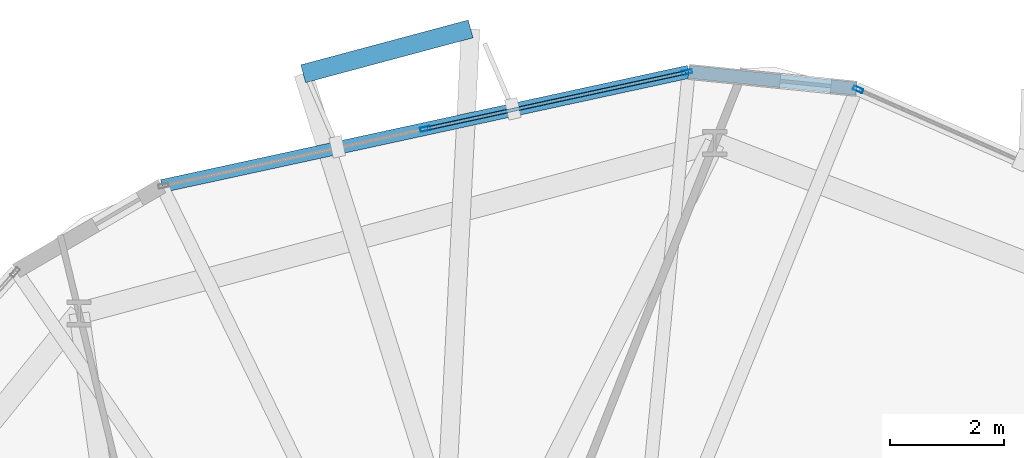
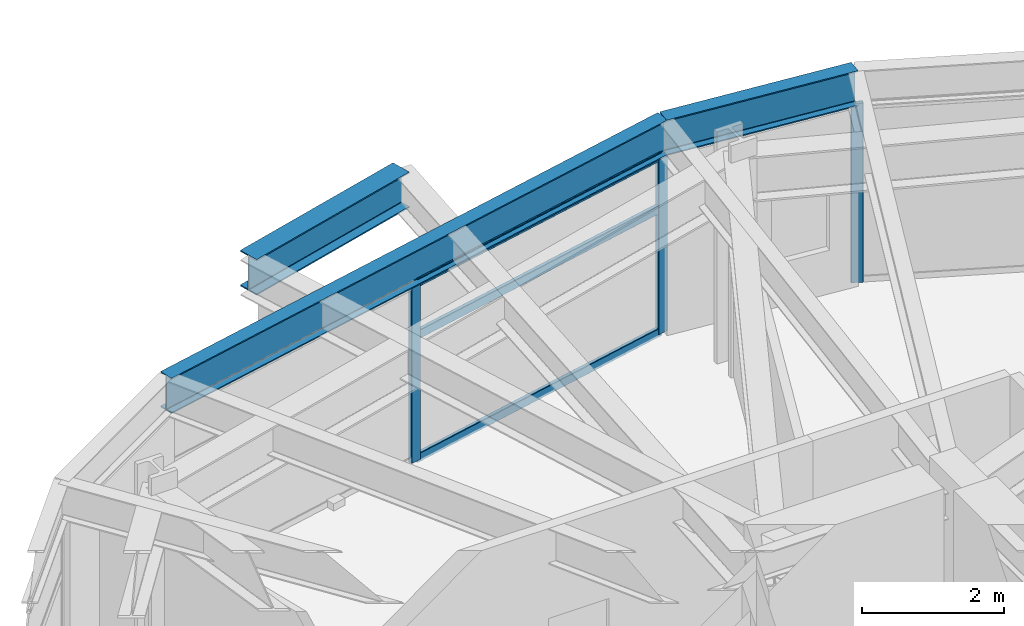
# One storey, part 14 of 22: 6 members, 3 beams, 2 elements without a shape of their own.
"""IFC4 building model written with IfcOpenShell, lengths in metres."""

from ifc_helpers import new_model, si_unit, direction, frame, origin, origin_2d, place, context, subcontext, project, spatial, hollow_rectangle, i_section, extrude, material, layer, layer_set, material_profile, profile_set, type_object, element, aggregate, save


model = new_model("IFC4")

# Units and contexts
model_context = context("Model", 3, precision=1e-05, world=origin(), true_north=direction((0.0, 1.0)))
body_context = subcontext(model_context, "Body", "Model", "MODEL_VIEW")
ifc_project = project(units=[si_unit("LENGTHUNIT", "METRE"), si_unit("AREAUNIT", "SQUARE_METRE"), si_unit("VOLUMEUNIT", "CUBIC_METRE"), si_unit("PLANEANGLEUNIT", "RADIAN"), si_unit("MASSUNIT", "GRAM", prefix="KILO")], contexts=[model_context])

# Site, building, storey
site_placement = place(None, origin())
site = spatial("IfcSite", under=ifc_project, at=site_placement, CompositionType="ELEMENT")
building_placement = place(site_placement, origin())
building = spatial("IfcBuilding", under=site, at=building_placement, Name="Soratama Intermodal Tower", CompositionType="ELEMENT")
storey_placement = place(building_placement, frame((0.0, 0.0, 74.60009765625)))
storey = spatial("IfcBuildingStorey", under=building, at=storey_placement, Name="L17", CompositionType="ELEMENT", Elevation=74.60009765625)

# Beams
ifc_material_1 = material(Name="Structural steel ASTM A992 Grade 50", Category="steel")
ifc_material_profile_1 = material_profile(ifc_material_1, i_section(OverallWidth=0.324951171875, OverallDepth=0.615966796875, WebThickness=0.013916015625, FlangeThickness=0.021484375, FilletRadius=0.013916015625, at=origin_2d()), Name="W24X117")
ifc_profile_set_1 = profile_set([ifc_material_profile_1], Name="Structural steel ASTM A992 Grade 50")
beam_type_1 = type_object("IfcBeamType", Name="BM-CANT-W24X117", PredefinedType="BEAM", material=ifc_profile_set_1)
beam_1_placement = place(storey_placement, frame((41.68701171875, 45.700927734375, 3.391845703125), z_axis=(-0.965929817404, -0.2588041496, 0.0), x_axis=(0.2588041496, -0.965929817404, 0.0)))
element("IfcBeam", 1, at=beam_1_placement, inside=storey, type_object=beam_type_1, Name="BM-L17-CBHDR-2", PredefinedType="BEAM", context=body_context, shape_type="SweptSolid", body=[
    extrude(i_section(OverallWidth=0.324951171875, OverallDepth=0.615966796875, WebThickness=0.013916015625, FlangeThickness=0.021484375, FilletRadius=0.013916015625, at=origin_2d()), origin(), (0.0, 0.0, 1.0), 3.0478515625),
])
ifc_material_2 = material(Name="Structural steel ASTM A992 Grade 50", Category="steel")
ifc_material_profile_2 = material_profile(ifc_material_2, i_section(OverallWidth=0.22900390625, OverallDepth=0.612060546875, WebThickness=0.011962890625, FlangeThickness=0.01953125, FilletRadius=0.012939453125, at=origin_2d()), Name="W24X84")
ifc_profile_set_2 = profile_set([ifc_material_profile_2], Name="Structural steel ASTM A992 Grade 50")
beam_type_2 = type_object("IfcBeamType", Name="BM-SPN-W24X84", PredefinedType="SPANDREL", material=ifc_profile_set_2)
beam_2_placement = place(storey_placement, frame((48.472900390625, 44.64990234375, 3.393798828125), z_axis=(-0.994972616311, 0.100147355392, 0.0), x_axis=(-0.100147355392, -0.994972616311, 0.0)))
element("IfcBeam", 2, at=beam_2_placement, inside=storey, type_object=beam_type_2, Name="BS-L17-CRN02", PredefinedType="SPANDREL", context=body_context, shape_type="SweptSolid", body=[
    extrude(i_section(OverallWidth=0.22900390625, OverallDepth=0.612060546875, WebThickness=0.011962890625, FlangeThickness=0.01953125, FilletRadius=0.012939453125, at=origin_2d()), origin(), (0.0, 0.0, 1.0), 2.966796875),
])
beam_3_placement = place(storey_placement, frame((45.52099609375, 44.947021484375, 3.393798828125), z_axis=(-0.977268813471, -0.21200392972, 0.0), x_axis=(0.21200392972, -0.977268813471, 0.0)))
element("IfcBeam", 3, at=beam_3_placement, inside=storey, type_object=beam_type_2, Name="BS-L17-F03", PredefinedType="SPANDREL", context=body_context, shape_type="SweptSolid", body=[
    extrude(i_section(OverallWidth=0.22900390625, OverallDepth=0.612060546875, WebThickness=0.011962890625, FlangeThickness=0.01953125, FilletRadius=0.012939453125, at=origin_2d()), origin(), (0.0, 0.0, 1.0), 9.476318359375),
])

# Curtain wall, member
ifc_material_3 = material(Name="Double-glazed aluminium curtain wall", Category="aluminium")
ifc_layer = layer(ifc_material_3, 0.159912109375)
ifc_layer_set = layer_set([ifc_layer], Name="Double-glazed aluminium curtain wall")
curtain_wall_type = type_object("IfcCurtainWallType", Name="CW-SYS-2", PredefinedType="NOTDEFINED", material=ifc_layer_set)
curtain_wall_1_placement = place(storey_placement, origin())
curtain_wall_1 = element("IfcCurtainWall", 4, at=curtain_wall_1_placement, inside=storey, type_object=curtain_wall_type, Name="L17 Faceted Curtain Wall F02", PredefinedType="NOTDEFINED")
ifc_material_4 = material(Name="Anodised aluminium AA 6063-T6", Category="aluminium")
ifc_material_profile_3 = material_profile(ifc_material_4, hollow_rectangle(XDim=0.074951171875, YDim=0.179931640625, WallThickness=0.006103515625, InnerFilletRadius=0.006103515625, OuterFilletRadius=0.011962890625, at=origin_2d()), Name="CWM180X75X6")
ifc_profile_set_3 = profile_set([ifc_material_profile_3], Name="Anodised aluminium AA 6063-T6")
member_type_1 = type_object("IfcMemberType", Name="MT-CWM-2", PredefinedType="MULLION", material=ifc_profile_set_3)
member_1_placement = place(storey_placement, frame((48.500244140625, 44.6376953125, 0.0), z_axis=(0.0, 0.0, 1.0), x_axis=(-0.402904100318, -0.915242200703, 0.0)))
member_1 = element("IfcMember", 5, at=member_1_placement, type_object=member_type_1, Name="CW-2 mullion 3", PredefinedType="MULLION", context=body_context, shape_type="SweptSolid", body=[
    extrude(hollow_rectangle(XDim=0.074951171875, YDim=0.179931640625, WallThickness=0.006103515625, InnerFilletRadius=0.006103515625, OuterFilletRadius=0.011962890625, at=origin_2d()), origin(), (0.0, 0.0, 1.0), 3.078857421875),
])
aggregate(curtain_wall_1, [member_1])

# Curtain wall, members
curtain_wall_2_placement = place(storey_placement, origin())
curtain_wall_2 = element("IfcCurtainWall", 6, at=curtain_wall_2_placement, inside=storey, type_object=curtain_wall_type, Name="L17 Faceted Curtain Wall F03", PredefinedType="NOTDEFINED")
member_2_placement = place(storey_placement, frame((45.491943359375, 44.941162109375, 0.0), z_axis=(0.0, 0.0, 1.0), x_axis=(0.211999431382, -0.977269789308, 0.0)))
member_2 = element("IfcMember", 7, at=member_2_placement, type_object=member_type_1, Name="CW-2 mullion 1", PredefinedType="MULLION", context=body_context, shape_type="SweptSolid", body=[
    extrude(hollow_rectangle(XDim=0.074951171875, YDim=0.179931640625, WallThickness=0.006103515625, InnerFilletRadius=0.006103515625, OuterFilletRadius=0.011962890625, at=origin_2d()), origin(), (0.0, 0.0, 1.0), 3.078857421875),
])
member_3_placement = place(storey_placement, frame((40.890625, 43.94287109375, 0.0), z_axis=(0.0, 0.0, 1.0), x_axis=(0.211999431382, -0.977269789308, 0.0)))
member_3 = element("IfcMember", 8, at=member_3_placement, type_object=member_type_1, Name="CW-2 mullion 2", PredefinedType="MULLION", context=body_context, shape_type="SweptSolid", body=[
    extrude(hollow_rectangle(XDim=0.074951171875, YDim=0.179931640625, WallThickness=0.006103515625, InnerFilletRadius=0.006103515625, OuterFilletRadius=0.011962890625, at=origin_2d()), origin(), (0.0, 0.0, 1.0), 3.078857421875),
])
ifc_material_5 = material(Name="Anodised aluminium AA 6063-T6", Category="aluminium")
ifc_material_profile_4 = material_profile(ifc_material_5, hollow_rectangle(XDim=0.06494140625, YDim=0.14990234375, WallThickness=0.0048828125, InnerFilletRadius=0.0048828125, OuterFilletRadius=0.010009765625, at=origin_2d()), Name="CWT150X65X5")
ifc_profile_set_4 = profile_set([ifc_material_profile_4], Name="Anodised aluminium AA 6063-T6")
member_type_2 = type_object("IfcMemberType", Name="TT-CWT-1", PredefinedType="USERDEFINED", material=ifc_profile_set_4)
member_4_placement = place(storey_placement, frame((45.462646484375, 44.934814453125, 0.02978515625), z_axis=(-0.977263501016, -0.212028416919, 0.0), x_axis=(0.212028416919, -0.977263501016, 0.0)))
member_4 = element("IfcMember", 9, at=member_4_placement, type_object=member_type_2, Name="CW-2 transom 1.1", ObjectType="TRANSOM", PredefinedType="USERDEFINED", context=body_context, shape_type="SweptSolid", body=[
    extrude(hollow_rectangle(XDim=0.06494140625, YDim=0.14990234375, WallThickness=0.0048828125, InnerFilletRadius=0.0048828125, OuterFilletRadius=0.010009765625, at=origin_2d()), origin(), (0.0, 0.0, 1.0), 4.6484375),
])
member_5_placement = place(storey_placement, frame((45.462646484375, 44.934814453125, 2.14990234375), z_axis=(-0.977263501016, -0.212028416919, 0.0), x_axis=(0.212028416919, -0.977263501016, 0.0)))
member_5 = element("IfcMember", 10, at=member_5_placement, type_object=member_type_2, Name="CW-2 transom 1.2", ObjectType="TRANSOM", PredefinedType="USERDEFINED", context=body_context, shape_type="SweptSolid", body=[
    extrude(hollow_rectangle(XDim=0.06494140625, YDim=0.14990234375, WallThickness=0.0048828125, InnerFilletRadius=0.0048828125, OuterFilletRadius=0.010009765625, at=origin_2d()), origin(), (0.0, 0.0, 1.0), 4.6484375),
])
member_6_placement = place(storey_placement, frame((45.462646484375, 44.934814453125, 3.048828125), z_axis=(-0.977263501016, -0.212028416919, 0.0), x_axis=(0.212028416919, -0.977263501016, 0.0)))
member_6 = element("IfcMember", 11, at=member_6_placement, type_object=member_type_2, Name="CW-2 transom 1.3", ObjectType="TRANSOM", PredefinedType="USERDEFINED", context=body_context, shape_type="SweptSolid", body=[
    extrude(hollow_rectangle(XDim=0.06494140625, YDim=0.14990234375, WallThickness=0.0048828125, InnerFilletRadius=0.0048828125, OuterFilletRadius=0.010009765625, at=origin_2d()), origin(), (0.0, 0.0, 1.0), 4.6484375),
])
aggregate(curtain_wall_2, [member_2, member_3, member_4, member_5, member_6])

save(model, "model.ifc")
